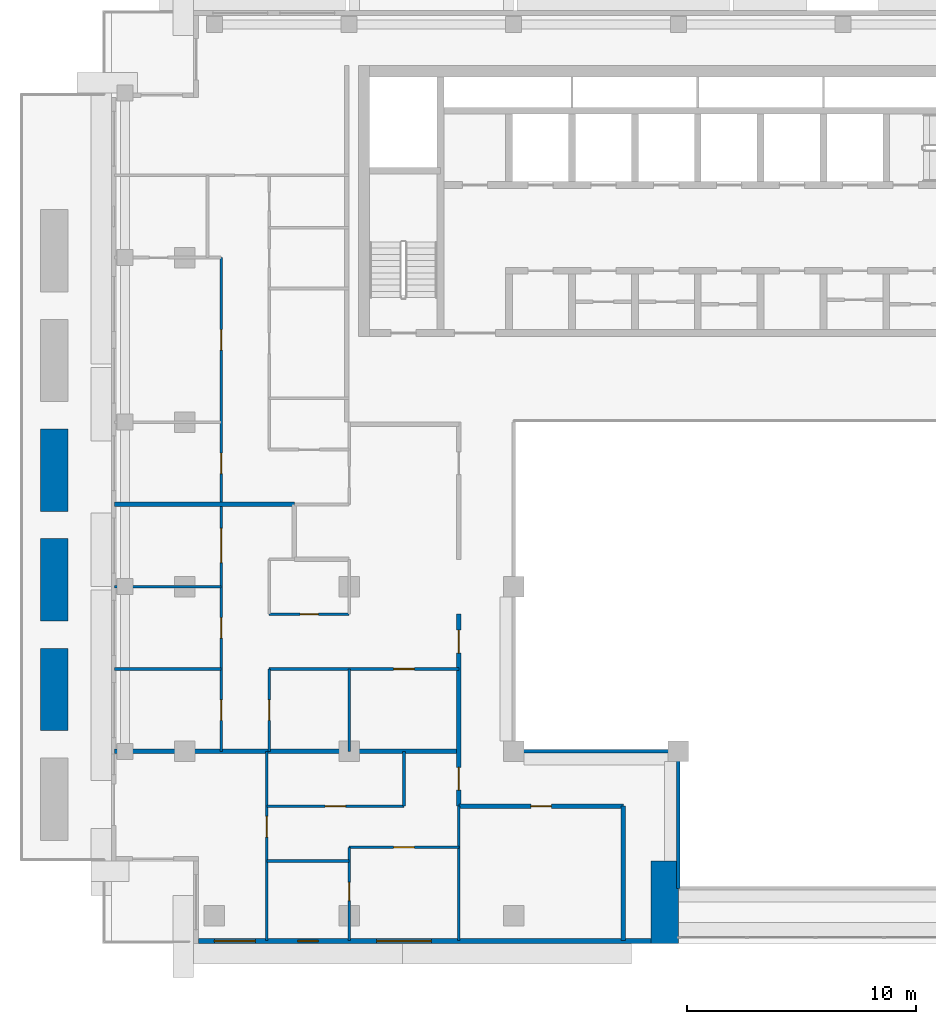
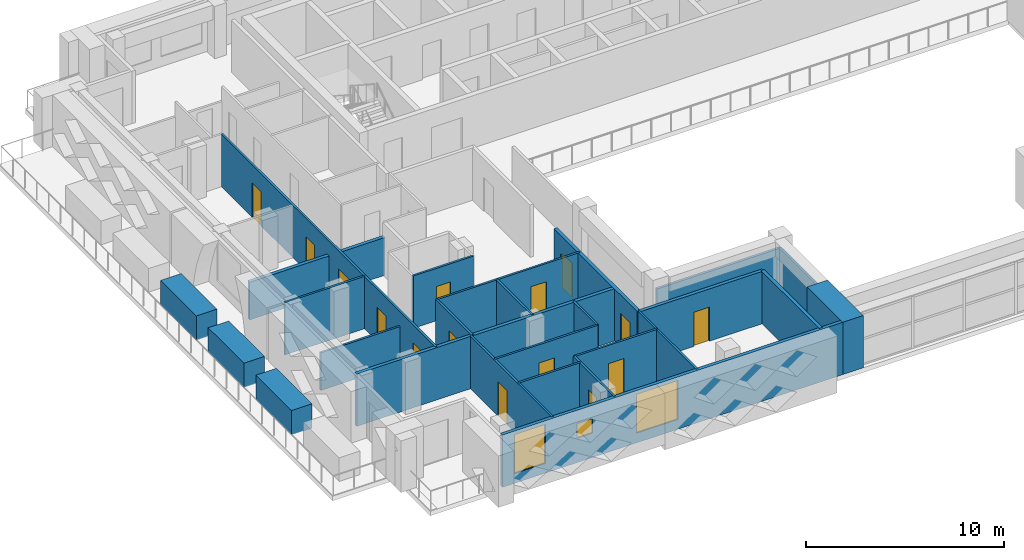
# One storey, part 6 of 19: 26 walls, 15 doors, 3 windows, 18 openings.
"""IFC4 building model written with IfcOpenShell, lengths in metres."""

from ifc_helpers import new_model, si_unit, direction, frame, frame_2d, origin, place, context, subcontext, project, spatial, rectangle, extrude, material, layer, layer_set, type_object, element, fill, save


model = new_model("IFC4")

# Units and contexts
model_context = context("Model", 3, precision=1e-05, world=origin(), true_north=direction((0.0, 1.0)))
body_context = subcontext(model_context, "Body", "Model", "MODEL_VIEW")
ifc_project = project(units=[si_unit("LENGTHUNIT", "METRE"), si_unit("AREAUNIT", "SQUARE_METRE"), si_unit("VOLUMEUNIT", "CUBIC_METRE"), si_unit("PLANEANGLEUNIT", "RADIAN"), si_unit("MASSUNIT", "GRAM", prefix="KILO")], contexts=[model_context])

# Site, building, storey
site_placement = place(None, origin())
site = spatial("IfcSite", under=ifc_project, at=site_placement, CompositionType="ELEMENT")
building_placement = place(site_placement, origin())
building = spatial("IfcBuilding", under=site, at=building_placement, Name="Saffron Iwan Residences", CompositionType="ELEMENT")
storey_placement = place(building_placement, frame((0.0, 0.0, 211.5)))
storey = spatial("IfcBuildingStorey", under=building, at=storey_placement, Name="L56", CompositionType="ELEMENT", Elevation=211.5)

# Walls
ifc_material_1 = material(Name="Fire-rated glazing", Category="glass")
ifc_layer_1 = layer(ifc_material_1, 0.14990234375)
ifc_layer_set_1 = layer_set([ifc_layer_1], Name="Fire-rated glazing")
wall_type_1 = type_object("IfcWallType", Name="Atrium glazed screen 150", PredefinedType="SOLIDWALL", material=ifc_layer_set_1)
wall_1_placement = place(storey_placement, frame((36.0, 48.0, 0.0), z_axis=(0.0, 0.0, 1.0), x_axis=(1.0, 0.0, 0.0)))
element("IfcWall", 1, at=wall_1_placement, inside=storey, type_object=wall_type_1, Name="W-L56-SCREEN-h48-36", PredefinedType="SOLIDWALL", context=body_context, shape_type="SweptSolid", body=[
    extrude(rectangle(XDim=7.199951171875, YDim=0.14990234375, at=frame_2d((3.60009765625, 0.0))), origin(), (0.0, 0.0, 1.0), 2.320068359375),
])
wall_2_placement = place(storey_placement, frame((43.199951171875, 42.0, 0.0), z_axis=(0.0, 0.0, 1.0), x_axis=(0.0, 1.0, 0.0)))
element("IfcWall", 2, at=wall_2_placement, inside=storey, type_object=wall_type_1, Name="W-L56-SCREEN-v43.2-42", PredefinedType="SOLIDWALL", context=body_context, shape_type="SweptSolid", body=[
    extrude(rectangle(XDim=6.0, YDim=0.14990234375, at=frame_2d((3.0, 0.0))), origin(), (0.0, 0.0, 1.0), 2.320068359375),
])

# Wall, openings, windows
ifc_material_2 = material(Name="Concrete C40/50", Category="concrete")
ifc_layer_2 = layer(ifc_material_2, 0.199951171875)
ifc_layer_set_2 = layer_set([ifc_layer_2], Name="Concrete C40/50")
wall_type_2 = type_object("IfcWallType", Name="EXTERNAL WALL 200", PredefinedType="SOLIDWALL", material=ifc_layer_set_2)
wall_3_placement = place(storey_placement, frame((22.199951171875, 39.699951171875, 0.0), z_axis=(0.0, 0.0, 1.0), x_axis=(1.0, 0.0, 0.0)))
wall_3 = element("IfcWall", 3, at=wall_3_placement, inside=storey, type_object=wall_type_2, Name="External wall L56 F11.0", PredefinedType="SOLIDWALL", context=body_context, shape_type="SweptSolid", body=[
    extrude(rectangle(XDim=19.800048828125, YDim=0.199951171875, at=frame_2d((9.89990234375, 0.0))), origin(), (0.0, 0.0, 1.0), 3.219970703125),
])
opening_1_placement = place(wall_3_placement, frame((0.699951171875, 0.0, 0.60009765625)))
opening_1 = element("IfcOpeningElement", 4, at=opening_1_placement, cuts=wall_3, Name="Opening W8", PredefinedType="OPENING", context=body_context, shape_type="SweptSolid", body=[
    extrude(rectangle(XDim=1.800048828125, YDim=2.39990234375, at=frame_2d((0.89990234375, 1.199951171875))), frame((0.0, 0.10986328125, 0.0), z_axis=(0.0, -1.0, 0.0), x_axis=(1.0, 0.0, 0.0)), (0.0, 0.0, 1.0), 0.219970703125),
])
opening_2_placement = place(wall_3_placement, frame((7.800048828125, 0.0, 0.60009765625)))
opening_2 = element("IfcOpeningElement", 5, at=opening_2_placement, cuts=wall_3, Name="Opening W1", PredefinedType="OPENING", context=body_context, shape_type="SweptSolid", body=[
    extrude(rectangle(XDim=2.39990234375, YDim=2.39990234375, at=frame_2d((1.199951171875, 1.199951171875))), frame((0.0, 0.10986328125, 0.0), z_axis=(0.0, -1.0, 0.0), x_axis=(1.0, 0.0, 0.0)), (0.0, 0.0, 1.0), 0.219970703125),
])
opening_3_placement = place(wall_3_placement, frame((4.35009765625, 0.0, 1.5)))
opening_3 = element("IfcOpeningElement", 6, at=opening_3_placement, cuts=wall_3, Name="Opening W6", PredefinedType="OPENING", context=body_context, shape_type="SweptSolid", body=[
    extrude(rectangle(XDim=0.89990234375, YDim=0.89990234375, at=frame_2d((0.449951171875, 0.449951171875))), frame((0.0, 0.10986328125, 0.0), z_axis=(0.0, -1.0, 0.0), x_axis=(1.0, 0.0, 0.0)), (0.0, 0.0, 1.0), 0.219970703125),
])
ifc_material_3 = material(Name="Clear glass, laminated double glazed", Category="glass")
window_type_1 = type_object("IfcWindowType", Name="WINDOW 1800 x 2400", PartitioningType="DOUBLE_PANEL_VERTICAL", PredefinedType="WINDOW", material=ifc_material_3)
window_1_placement = place(opening_1_placement, origin())
window_1 = element("IfcWindow", 7, at=window_1_placement, inside=storey, type_object=window_type_1, Name="Window L56 F11.0", OverallHeight=2.39990234375, OverallWidth=1.800048828125, PartitioningType="DOUBLE_PANEL_VERTICAL", PredefinedType="WINDOW", context=body_context, shape_type="SweptSolid", body=[
    extrude(rectangle(XDim=1.800048828125, YDim=2.39990234375, at=frame_2d((0.89990234375, 1.199951171875))), frame((0.0, 0.030029296875, 0.0), z_axis=(0.0, -1.0, 0.0), x_axis=(1.0, 0.0, 0.0)), (0.0, 0.0, 1.0), 0.06005859375),
])
fill(opening_1, window_1)
window_type_2 = type_object("IfcWindowType", Name="WINDOW 2400 x 2400", PartitioningType="DOUBLE_PANEL_VERTICAL", PredefinedType="WINDOW", material=ifc_material_3)
window_2_placement = place(opening_2_placement, origin())
window_2 = element("IfcWindow", 8, at=window_2_placement, inside=storey, type_object=window_type_2, Name="Window L56 F11.1", OverallHeight=2.39990234375, OverallWidth=2.39990234375, PartitioningType="DOUBLE_PANEL_VERTICAL", PredefinedType="WINDOW", context=body_context, shape_type="SweptSolid", body=[
    extrude(rectangle(XDim=2.39990234375, YDim=2.39990234375, at=frame_2d((1.199951171875, 1.199951171875))), frame((0.0, 0.030029296875, 0.0), z_axis=(0.0, -1.0, 0.0), x_axis=(1.0, 0.0, 0.0)), (0.0, 0.0, 1.0), 0.06005859375),
])
fill(opening_2, window_2)
window_type_3 = type_object("IfcWindowType", Name="WINDOW 900 x 900 BATH", PartitioningType="SINGLE_PANEL", PredefinedType="WINDOW", material=ifc_material_3)
window_3_placement = place(opening_3_placement, origin())
window_3 = element("IfcWindow", 9, at=window_3_placement, inside=storey, type_object=window_type_3, Name="Window L56 F11.2", OverallHeight=0.89990234375, OverallWidth=0.89990234375, PartitioningType="SINGLE_PANEL", PredefinedType="WINDOW", context=body_context, shape_type="SweptSolid", body=[
    extrude(rectangle(XDim=0.89990234375, YDim=0.89990234375, at=frame_2d((0.449951171875, 0.449951171875))), frame((0.0, 0.030029296875, 0.0), z_axis=(0.0, -1.0, 0.0), x_axis=(1.0, 0.0, 0.0)), (0.0, 0.0, 1.0), 0.06005859375),
])
fill(opening_3, window_3)

# Walls
ifc_material_4 = material(Name="Fire-rated gypsum board wall")
ifc_layer_3 = layer(ifc_material_4, 0.199951171875)
ifc_layer_set_3 = layer_set([ifc_layer_3], Name="Fire-rated gypsum board wall")
wall_type_3 = type_object("IfcWallType", Name="Flat demising wall 200", PredefinedType="SOLIDWALL", material=ifc_layer_set_3)
wall_4_placement = place(storey_placement, frame((18.52490234375, 48.0, 0.0), z_axis=(0.0, 0.0, 1.0), x_axis=(1.0, 0.0, 0.0)))
element("IfcWall", 10, at=wall_4_placement, inside=storey, type_object=wall_type_3, Name="W-L56-DEMISE-h48-18.525", PredefinedType="SOLIDWALL", context=body_context, shape_type="SweptSolid", body=[
    extrude(rectangle(XDim=15.0751953125, YDim=0.199951171875, at=frame_2d((7.53759765625, 0.0))), origin(), (0.0, 0.0, 1.0), 3.219970703125),
])
wall_5_placement = place(storey_placement, frame((18.52490234375, 58.800048828125, 0.0), z_axis=(0.0, 0.0, 1.0), x_axis=(1.0, 0.0, 0.0)))
element("IfcWall", 11, at=wall_5_placement, inside=storey, type_object=wall_type_3, Name="W-L56-DEMISE-h58.8-18.525", PredefinedType="SOLIDWALL", context=body_context, shape_type="SweptSolid", body=[
    extrude(rectangle(XDim=7.875, YDim=0.199951171875, at=frame_2d((3.9375, 0.0))), origin(), (0.0, 0.0, 1.0), 2.320068359375),
])
ifc_material_5 = material(Name="Gypsum board partition")
ifc_layer_4 = layer(ifc_material_5, 0.1201171875)
ifc_layer_set_4 = layer_set([ifc_layer_4], Name="Gypsum board partition")
wall_type_4 = type_object("IfcWallType", Name="Flat partition 120", PredefinedType="PARTITIONING", material=ifc_layer_set_4)
wall_6_placement = place(storey_placement, frame((25.199951171875, 43.199951171875, 0.0), z_axis=(0.0, 0.0, 1.0), x_axis=(1.0, 0.0, 0.0)))
element("IfcWall", 12, at=wall_6_placement, inside=storey, type_object=wall_type_4, Name="W-L56-PART-h43.2-25.2", PredefinedType="PARTITIONING", context=body_context, shape_type="SweptSolid", body=[
    extrude(rectangle(XDim=3.60009765625, YDim=0.1201171875, at=frame_2d((1.800048828125, 0.0))), origin(), (0.0, 0.0, 1.0), 3.219970703125),
])

# Wall, opening, door
wall_7_placement = place(storey_placement, frame((28.800048828125, 43.800048828125, 0.0), z_axis=(0.0, 0.0, 1.0), x_axis=(1.0, 0.0, 0.0)))
wall_7 = element("IfcWall", 13, at=wall_7_placement, inside=storey, type_object=wall_type_4, Name="W-L56-PART-h43.8-28.8", PredefinedType="PARTITIONING", context=body_context, shape_type="SweptSolid", body=[
    extrude(rectangle(XDim=4.800048828125, YDim=0.1201171875, at=frame_2d((2.39990234375, 0.0))), origin(), (0.0, 0.0, 1.0), 3.219970703125),
])
opening_4_placement = place(wall_7_placement, frame((1.949951171875, 0.0, 0.0)))
opening_4 = element("IfcOpeningElement", 14, at=opening_4_placement, cuts=wall_7, Name="Opening FD2", PredefinedType="OPENING", context=body_context, shape_type="SweptSolid", body=[
    extrude(rectangle(XDim=0.89990234375, YDim=2.10009765625, at=frame_2d((0.449951171875, 1.050048828125))), frame((0.0, 0.070068359375, 0.0), z_axis=(0.0, -1.0, 0.0), x_axis=(1.0, 0.0, 0.0)), (0.0, 0.0, 1.0), 0.14013671875),
])
ifc_material_6 = material(Name="Timber door", Category="wood")
door_type_1 = type_object("IfcDoorType", Name="Flat door 900", OperationType="NOTDEFINED", PredefinedType="DOOR", material=ifc_material_6)
door_1_placement = place(opening_4_placement, origin())
door_1 = element("IfcDoor", 15, at=door_1_placement, inside=storey, type_object=door_type_1, Name="Door L56-003", OperationType="SINGLE_SWING_LEFT", OverallHeight=2.10009765625, OverallWidth=0.89990234375, PredefinedType="DOOR", context=body_context, shape_type="SweptSolid", body=[
    extrude(rectangle(XDim=0.89990234375, YDim=2.10009765625, at=frame_2d((0.449951171875, 1.050048828125))), frame((0.0, 0.02490234375, 0.0), z_axis=(0.0, -1.0, 0.0), x_axis=(1.0, 0.0, 0.0)), (0.0, 0.0, 1.0), 0.050048828125),
])
fill(opening_4, door_1)

wall_8_placement = place(storey_placement, frame((25.199951171875, 45.60009765625, 0.0), z_axis=(0.0, 0.0, 1.0), x_axis=(1.0, 0.0, 0.0)))
wall_8 = element("IfcWall", 16, at=wall_8_placement, inside=storey, type_object=wall_type_4, Name="W-L56-PART-h45.6-25.2", PredefinedType="PARTITIONING", context=body_context, shape_type="SweptSolid", body=[
    extrude(rectangle(XDim=6.0, YDim=0.1201171875, at=frame_2d((3.0, 0.0))), origin(), (0.0, 0.0, 1.0), 3.219970703125),
])
opening_5_placement = place(wall_8_placement, frame((2.550048828125, 0.0, 0.0)))
opening_5 = element("IfcOpeningElement", 17, at=opening_5_placement, cuts=wall_8, Name="Opening FD2", PredefinedType="OPENING", context=body_context, shape_type="SweptSolid", body=[
    extrude(rectangle(XDim=0.89990234375, YDim=2.10009765625, at=frame_2d((0.449951171875, 1.050048828125))), frame((0.0, 0.070068359375, 0.0), z_axis=(0.0, -1.0, 0.0), x_axis=(1.0, 0.0, 0.0)), (0.0, 0.0, 1.0), 0.14013671875),
])
door_2_placement = place(opening_5_placement, origin())
door_2 = element("IfcDoor", 18, at=door_2_placement, inside=storey, type_object=door_type_1, Name="Door L56-005", OperationType="SINGLE_SWING_RIGHT", OverallHeight=2.10009765625, OverallWidth=0.89990234375, PredefinedType="DOOR", context=body_context, shape_type="SweptSolid", body=[
    extrude(rectangle(XDim=0.89990234375, YDim=2.10009765625, at=frame_2d((0.449951171875, 1.050048828125))), frame((0.0, 0.02490234375, 0.0), z_axis=(0.0, -1.0, 0.0), x_axis=(1.0, 0.0, 0.0)), (0.0, 0.0, 1.0), 0.050048828125),
])
fill(opening_5, door_2)

# Wall
wall_9_placement = place(storey_placement, frame((18.52490234375, 51.60009765625, 0.0), z_axis=(0.0, 0.0, 1.0), x_axis=(1.0, 0.0, 0.0)))
element("IfcWall", 19, at=wall_9_placement, inside=storey, type_object=wall_type_4, Name="W-L56-PART-h51.6-18.525", PredefinedType="PARTITIONING", context=body_context, shape_type="SweptSolid", body=[
    extrude(rectangle(XDim=4.675048828125, YDim=0.1201171875, at=frame_2d((2.33740234375, 0.0))), origin(), (0.0, 0.0, 1.0), 2.320068359375),
])

# Wall, opening, door
wall_10_placement = place(storey_placement, frame((25.300048828125, 51.60009765625, 0.0), z_axis=(0.0, 0.0, 1.0), x_axis=(1.0, 0.0, 0.0)))
wall_10 = element("IfcWall", 20, at=wall_10_placement, inside=storey, type_object=wall_type_4, Name="W-L56-PART-h51.6-25.3", PredefinedType="PARTITIONING", context=body_context, shape_type="SweptSolid", body=[
    extrude(rectangle(XDim=8.300048828125, YDim=0.1201171875, at=frame_2d((4.14990234375, 0.0))), origin(), (0.0, 0.0, 1.0), 3.219970703125),
])
opening_6_placement = place(wall_10_placement, frame((5.449951171875, 0.0, 0.0)))
opening_6 = element("IfcOpeningElement", 21, at=opening_6_placement, cuts=wall_10, Name="Opening FD2", PredefinedType="OPENING", context=body_context, shape_type="SweptSolid", body=[
    extrude(rectangle(XDim=0.89990234375, YDim=2.10009765625, at=frame_2d((0.449951171875, 1.050048828125))), frame((0.0, 0.070068359375, 0.0), z_axis=(0.0, -1.0, 0.0), x_axis=(1.0, 0.0, 0.0)), (0.0, 0.0, 1.0), 0.14013671875),
])
door_3_placement = place(opening_6_placement, origin())
door_3 = element("IfcDoor", 22, at=door_3_placement, inside=storey, type_object=door_type_1, Name="Door L56-013", OperationType="SINGLE_SWING_LEFT", OverallHeight=2.10009765625, OverallWidth=0.89990234375, PredefinedType="DOOR", context=body_context, shape_type="SweptSolid", body=[
    extrude(rectangle(XDim=0.89990234375, YDim=2.10009765625, at=frame_2d((0.449951171875, 1.050048828125))), frame((0.0, 0.02490234375, 0.0), z_axis=(0.0, -1.0, 0.0), x_axis=(1.0, 0.0, 0.0)), (0.0, 0.0, 1.0), 0.050048828125),
])
fill(opening_6, door_3)

wall_11_placement = place(storey_placement, frame((25.300048828125, 54.0, 0.0), z_axis=(0.0, 0.0, 1.0), x_axis=(1.0, 0.0, 0.0)))
wall_11 = element("IfcWall", 23, at=wall_11_placement, inside=storey, type_object=wall_type_4, Name="W-L56-PART-h54-25.3", PredefinedType="PARTITIONING", context=body_context, shape_type="SweptSolid", body=[
    extrude(rectangle(XDim=3.5, YDim=0.1201171875, at=frame_2d((1.75, 0.0))), origin(), (0.0, 0.0, 1.0), 3.219970703125),
])
opening_7_placement = place(wall_11_placement, frame((1.35009765625, 0.0, 0.0)))
opening_7 = element("IfcOpeningElement", 24, at=opening_7_placement, cuts=wall_11, Name="Opening FD3", PredefinedType="OPENING", context=body_context, shape_type="SweptSolid", body=[
    extrude(rectangle(XDim=0.800048828125, YDim=2.10009765625, at=frame_2d((0.39990234375, 1.050048828125))), frame((0.0, 0.070068359375, 0.0), z_axis=(0.0, -1.0, 0.0), x_axis=(1.0, 0.0, 0.0)), (0.0, 0.0, 1.0), 0.14013671875),
])
door_type_2 = type_object("IfcDoorType", Name="Bathroom door 800", OperationType="NOTDEFINED", PredefinedType="DOOR", material=ifc_material_6)
door_4_placement = place(opening_7_placement, origin())
door_4 = element("IfcDoor", 25, at=door_4_placement, inside=storey, type_object=door_type_2, Name="Door L56-012", OperationType="SINGLE_SWING_LEFT", OverallHeight=2.10009765625, OverallWidth=0.800048828125, PredefinedType="DOOR", context=body_context, shape_type="SweptSolid", body=[
    extrude(rectangle(XDim=0.800048828125, YDim=2.10009765625, at=frame_2d((0.39990234375, 1.050048828125))), frame((0.0, 0.02490234375, 0.0), z_axis=(0.0, -1.0, 0.0), x_axis=(1.0, 0.0, 0.0)), (0.0, 0.0, 1.0), 0.050048828125),
])
fill(opening_7, door_4)

# Wall
wall_12_placement = place(storey_placement, frame((18.52490234375, 55.199951171875, 0.0), z_axis=(0.0, 0.0, 1.0), x_axis=(1.0, 0.0, 0.0)))
element("IfcWall", 26, at=wall_12_placement, inside=storey, type_object=wall_type_4, Name="W-L56-PART-h55.2-18.525", PredefinedType="PARTITIONING", context=body_context, shape_type="SweptSolid", body=[
    extrude(rectangle(XDim=4.675048828125, YDim=0.1201171875, at=frame_2d((2.33740234375, 0.0))), origin(), (0.0, 0.0, 1.0), 3.219970703125),
])

# Wall, openings, doors
wall_13_placement = place(storey_placement, frame((23.199951171875, 48.0, 0.0), z_axis=(0.0, 0.0, 1.0), x_axis=(0.0, 1.0, 0.0)))
wall_13 = element("IfcWall", 27, at=wall_13_placement, inside=storey, type_object=wall_type_4, Name="W-L56-PART-v23.2-48", PredefinedType="PARTITIONING", context=body_context, shape_type="SweptSolid", body=[
    extrude(rectangle(XDim=21.60009765625, YDim=0.1201171875, at=frame_2d((10.800048828125, 0.0))), origin(), (0.0, 0.0, 1.0), 3.219970703125),
])
opening_8_placement = place(wall_13_placement, frame((1.35009765625, 0.0, 0.0)))
opening_8 = element("IfcOpeningElement", 28, at=opening_8_placement, cuts=wall_13, Name="Opening FD2", PredefinedType="OPENING", context=body_context, shape_type="SweptSolid", body=[
    extrude(rectangle(XDim=0.89990234375, YDim=2.10009765625, at=frame_2d((0.449951171875, 1.050048828125))), frame((0.0, 0.070068359375, 0.0), z_axis=(0.0, -1.0, 0.0), x_axis=(1.0, 0.0, 0.0)), (0.0, 0.0, 1.0), 0.14013671875),
])
opening_9_placement = place(wall_13_placement, frame((4.949951171875, 0.0, 0.0)))
opening_9 = element("IfcOpeningElement", 29, at=opening_9_placement, cuts=wall_13, Name="Opening FD2", PredefinedType="OPENING", context=body_context, shape_type="SweptSolid", body=[
    extrude(rectangle(XDim=0.89990234375, YDim=2.10009765625, at=frame_2d((0.449951171875, 1.050048828125))), frame((0.0, 0.070068359375, 0.0), z_axis=(0.0, -1.0, 0.0), x_axis=(1.0, 0.0, 0.0)), (0.0, 0.0, 1.0), 0.14013671875),
])
opening_10_placement = place(wall_13_placement, frame((8.25, 0.0, 0.0)))
opening_10 = element("IfcOpeningElement", 30, at=opening_10_placement, cuts=wall_13, Name="Opening FD4", PredefinedType="OPENING", context=body_context, shape_type="SweptSolid", body=[
    extrude(rectangle(XDim=1.5, YDim=2.10009765625, at=frame_2d((0.75, 1.050048828125))), frame((0.0, 0.070068359375, 0.0), z_axis=(0.0, -1.0, 0.0), x_axis=(1.0, 0.0, 0.0)), (0.0, 0.0, 1.0), 0.14013671875),
])
opening_11_placement = place(wall_13_placement, frame((12.14990234375, 0.0, 0.0)))
opening_11 = element("IfcOpeningElement", 31, at=opening_11_placement, cuts=wall_13, Name="Opening FD2", PredefinedType="OPENING", context=body_context, shape_type="SweptSolid", body=[
    extrude(rectangle(XDim=0.89990234375, YDim=2.10009765625, at=frame_2d((0.449951171875, 1.050048828125))), frame((0.0, 0.070068359375, 0.0), z_axis=(0.0, -1.0, 0.0), x_axis=(1.0, 0.0, 0.0)), (0.0, 0.0, 1.0), 0.14013671875),
])
opening_12_placement = place(wall_13_placement, frame((17.550048828125, 0.0, 0.0)))
opening_12 = element("IfcOpeningElement", 32, at=opening_12_placement, cuts=wall_13, Name="Opening FD2", PredefinedType="OPENING", context=body_context, shape_type="SweptSolid", body=[
    extrude(rectangle(XDim=0.89990234375, YDim=2.10009765625, at=frame_2d((0.449951171875, 1.050048828125))), frame((0.0, 0.070068359375, 0.0), z_axis=(0.0, -1.0, 0.0), x_axis=(1.0, 0.0, 0.0)), (0.0, 0.0, 1.0), 0.14013671875),
])
door_type_3 = type_object("IfcDoorType", Name="Double door 1500", OperationType="NOTDEFINED", PredefinedType="DOOR", material=ifc_material_6)
door_5_placement = place(opening_10_placement, origin())
door_5 = element("IfcDoor", 33, at=door_5_placement, inside=storey, type_object=door_type_3, Name="Door L56-010", OperationType="SINGLE_SWING_LEFT", OverallHeight=2.10009765625, OverallWidth=1.5, PredefinedType="DOOR", context=body_context, shape_type="SweptSolid", body=[
    extrude(rectangle(XDim=1.5, YDim=2.10009765625, at=frame_2d((0.75, 1.050048828125))), frame((0.0, 0.02490234375, 0.0), z_axis=(0.0, -1.0, 0.0), x_axis=(1.0, 0.0, 0.0)), (0.0, 0.0, 1.0), 0.050048828125),
])
fill(opening_10, door_5)
door_6_placement = place(opening_8_placement, origin())
door_6 = element("IfcDoor", 34, at=door_6_placement, inside=storey, type_object=door_type_1, Name="Door L56-008", OperationType="SINGLE_SWING_RIGHT", OverallHeight=2.10009765625, OverallWidth=0.89990234375, PredefinedType="DOOR", context=body_context, shape_type="SweptSolid", body=[
    extrude(rectangle(XDim=0.89990234375, YDim=2.10009765625, at=frame_2d((0.449951171875, 1.050048828125))), frame((0.0, 0.02490234375, 0.0), z_axis=(0.0, -1.0, 0.0), x_axis=(1.0, 0.0, 0.0)), (0.0, 0.0, 1.0), 0.050048828125),
])
fill(opening_8, door_6)
door_7_placement = place(opening_9_placement, origin())
door_7 = element("IfcDoor", 35, at=door_7_placement, inside=storey, type_object=door_type_1, Name="Door L56-009", OperationType="SINGLE_SWING_LEFT", OverallHeight=2.10009765625, OverallWidth=0.89990234375, PredefinedType="DOOR", context=body_context, shape_type="SweptSolid", body=[
    extrude(rectangle(XDim=0.89990234375, YDim=2.10009765625, at=frame_2d((0.449951171875, 1.050048828125))), frame((0.0, 0.02490234375, 0.0), z_axis=(0.0, -1.0, 0.0), x_axis=(1.0, 0.0, 0.0)), (0.0, 0.0, 1.0), 0.050048828125),
])
fill(opening_9, door_7)
door_8_placement = place(opening_11_placement, origin())
door_8 = element("IfcDoor", 36, at=door_8_placement, inside=storey, type_object=door_type_1, Name="Door L56-022", OperationType="SINGLE_SWING_LEFT", OverallHeight=2.10009765625, OverallWidth=0.89990234375, PredefinedType="DOOR", context=body_context, shape_type="SweptSolid", body=[
    extrude(rectangle(XDim=0.89990234375, YDim=2.10009765625, at=frame_2d((0.449951171875, 1.050048828125))), frame((0.0, 0.02490234375, 0.0), z_axis=(0.0, -1.0, 0.0), x_axis=(1.0, 0.0, 0.0)), (0.0, 0.0, 1.0), 0.050048828125),
])
fill(opening_11, door_8)
door_9_placement = place(opening_12_placement, origin())
door_9 = element("IfcDoor", 37, at=door_9_placement, inside=storey, type_object=door_type_1, Name="Door L56-023", OperationType="SINGLE_SWING_RIGHT", OverallHeight=2.10009765625, OverallWidth=0.89990234375, PredefinedType="DOOR", context=body_context, shape_type="SweptSolid", body=[
    extrude(rectangle(XDim=0.89990234375, YDim=2.10009765625, at=frame_2d((0.449951171875, 1.050048828125))), frame((0.0, 0.02490234375, 0.0), z_axis=(0.0, -1.0, 0.0), x_axis=(1.0, 0.0, 0.0)), (0.0, 0.0, 1.0), 0.050048828125),
])
fill(opening_12, door_9)

# Wall, opening, door
wall_14_placement = place(storey_placement, frame((25.199951171875, 39.72509765625, 0.0), z_axis=(0.0, 0.0, 1.0), x_axis=(0.0, 1.0, 0.0)))
wall_14 = element("IfcWall", 38, at=wall_14_placement, inside=storey, type_object=wall_type_4, Name="W-L56-PART-v25.2-39.725", PredefinedType="PARTITIONING", context=body_context, shape_type="SweptSolid", body=[
    extrude(rectangle(XDim=8.27490234375, YDim=0.1201171875, at=frame_2d((4.137451171875, 0.0))), origin(), (0.0, 0.0, 1.0), 3.219970703125),
])
opening_13_placement = place(wall_14_placement, frame((4.52490234375, 0.0, 0.0)))
opening_13 = element("IfcOpeningElement", 39, at=opening_13_placement, cuts=wall_14, Name="Opening FD2", PredefinedType="OPENING", context=body_context, shape_type="SweptSolid", body=[
    extrude(rectangle(XDim=0.89990234375, YDim=2.10009765625, at=frame_2d((0.449951171875, 1.050048828125))), frame((0.0, 0.070068359375, 0.0), z_axis=(0.0, -1.0, 0.0), x_axis=(1.0, 0.0, 0.0)), (0.0, 0.0, 1.0), 0.14013671875),
])
door_10_placement = place(opening_13_placement, origin())
door_10 = element("IfcDoor", 40, at=door_10_placement, inside=storey, type_object=door_type_1, Name="Door L56-002", OperationType="SINGLE_SWING_RIGHT", OverallHeight=2.10009765625, OverallWidth=0.89990234375, PredefinedType="DOOR", context=body_context, shape_type="SweptSolid", body=[
    extrude(rectangle(XDim=0.89990234375, YDim=2.10009765625, at=frame_2d((0.449951171875, 1.050048828125))), frame((0.0, 0.02490234375, 0.0), z_axis=(0.0, -1.0, 0.0), x_axis=(1.0, 0.0, 0.0)), (0.0, 0.0, 1.0), 0.050048828125),
])
fill(opening_13, door_10)

wall_15_placement = place(storey_placement, frame((25.300048828125, 48.0, 0.0), z_axis=(0.0, 0.0, 1.0), x_axis=(0.0, 1.0, 0.0)))
wall_15 = element("IfcWall", 41, at=wall_15_placement, inside=storey, type_object=wall_type_4, Name="W-L56-PART-v25.3-48", PredefinedType="PARTITIONING", context=body_context, shape_type="SweptSolid", body=[
    extrude(rectangle(XDim=3.60009765625, YDim=0.1201171875, at=frame_2d((1.800048828125, 0.0))), origin(), (0.0, 0.0, 1.0), 3.219970703125),
])
opening_14_placement = place(wall_15_placement, frame((1.35009765625, 0.0, 0.0)))
opening_14 = element("IfcOpeningElement", 42, at=opening_14_placement, cuts=wall_15, Name="Opening FD2", PredefinedType="OPENING", context=body_context, shape_type="SweptSolid", body=[
    extrude(rectangle(XDim=0.89990234375, YDim=2.10009765625, at=frame_2d((0.449951171875, 1.050048828125))), frame((0.0, 0.070068359375, 0.0), z_axis=(0.0, -1.0, 0.0), x_axis=(1.0, 0.0, 0.0)), (0.0, 0.0, 1.0), 0.14013671875),
])
door_11_placement = place(opening_14_placement, origin())
door_11 = element("IfcDoor", 43, at=door_11_placement, inside=storey, type_object=door_type_1, Name="Door L56-011", OperationType="SINGLE_SWING_RIGHT", OverallHeight=2.10009765625, OverallWidth=0.89990234375, PredefinedType="DOOR", context=body_context, shape_type="SweptSolid", body=[
    extrude(rectangle(XDim=0.89990234375, YDim=2.10009765625, at=frame_2d((0.449951171875, 1.050048828125))), frame((0.0, 0.02490234375, 0.0), z_axis=(0.0, -1.0, 0.0), x_axis=(1.0, 0.0, 0.0)), (0.0, 0.0, 1.0), 0.050048828125),
])
fill(opening_14, door_11)

wall_16_placement = place(storey_placement, frame((28.800048828125, 39.72509765625, 0.0), z_axis=(0.0, 0.0, 1.0), x_axis=(0.0, 1.0, 0.0)))
wall_16 = element("IfcWall", 44, at=wall_16_placement, inside=storey, type_object=wall_type_4, Name="W-L56-PART-v28.8-39.725", PredefinedType="PARTITIONING", context=body_context, shape_type="SweptSolid", body=[
    extrude(rectangle(XDim=4.074951171875, YDim=0.1201171875, at=frame_2d((2.03759765625, 0.0))), origin(), (0.0, 0.0, 1.0), 3.219970703125),
])
opening_15_placement = place(wall_16_placement, frame((1.737548828125, 0.0, 0.0)))
opening_15 = element("IfcOpeningElement", 45, at=opening_15_placement, cuts=wall_16, Name="Opening FD3", PredefinedType="OPENING", context=body_context, shape_type="SweptSolid", body=[
    extrude(rectangle(XDim=0.800048828125, YDim=2.10009765625, at=frame_2d((0.39990234375, 1.050048828125))), frame((0.0, 0.070068359375, 0.0), z_axis=(0.0, -1.0, 0.0), x_axis=(1.0, 0.0, 0.0)), (0.0, 0.0, 1.0), 0.14013671875),
])
door_12_placement = place(opening_15_placement, origin())
door_12 = element("IfcDoor", 46, at=door_12_placement, inside=storey, type_object=door_type_2, Name="Door L56-004", OperationType="SINGLE_SWING_RIGHT", OverallHeight=2.10009765625, OverallWidth=0.800048828125, PredefinedType="DOOR", context=body_context, shape_type="SweptSolid", body=[
    extrude(rectangle(XDim=0.800048828125, YDim=2.10009765625, at=frame_2d((0.39990234375, 1.050048828125))), frame((0.0, 0.02490234375, 0.0), z_axis=(0.0, -1.0, 0.0), x_axis=(1.0, 0.0, 0.0)), (0.0, 0.0, 1.0), 0.050048828125),
])
fill(opening_15, door_12)

# Walls
wall_17_placement = place(storey_placement, frame((28.800048828125, 48.0, 0.0), z_axis=(0.0, 0.0, 1.0), x_axis=(0.0, 1.0, 0.0)))
element("IfcWall", 47, at=wall_17_placement, inside=storey, type_object=wall_type_4, Name="W-L56-PART-v28.8-48", PredefinedType="PARTITIONING", context=body_context, shape_type="SweptSolid", body=[
    extrude(rectangle(XDim=3.60009765625, YDim=0.1201171875, at=frame_2d((1.800048828125, 0.0))), origin(), (0.0, 0.0, 1.0), 3.219970703125),
])
wall_18_placement = place(storey_placement, frame((31.199951171875, 45.60009765625, 0.0), z_axis=(0.0, 0.0, 1.0), x_axis=(0.0, 1.0, 0.0)))
element("IfcWall", 48, at=wall_18_placement, inside=storey, type_object=wall_type_4, Name="W-L56-PART-v31.2-45.6", PredefinedType="PARTITIONING", context=body_context, shape_type="SweptSolid", body=[
    extrude(rectangle(XDim=2.39990234375, YDim=0.1201171875, at=frame_2d((1.199951171875, 0.0))), origin(), (0.0, 0.0, 1.0), 3.219970703125),
])
wall_19_placement = place(storey_placement, frame((33.60009765625, 39.72509765625, 0.0), z_axis=(0.0, 0.0, 1.0), x_axis=(0.0, 1.0, 0.0)))
element("IfcWall", 49, at=wall_19_placement, inside=storey, type_object=wall_type_4, Name="W-L56-PART-v33.6-39.725", PredefinedType="PARTITIONING", context=body_context, shape_type="SweptSolid", body=[
    extrude(rectangle(XDim=5.875, YDim=0.1201171875, at=frame_2d((2.9375, 0.0))), origin(), (0.0, 0.0, 1.0), 3.219970703125),
])

# Wall, opening, door
ifc_layer_5 = layer(ifc_material_4, 0.199951171875)
ifc_layer_set_5 = layer_set([ifc_layer_5], Name="Fire-rated gypsum board wall")
wall_type_5 = type_object("IfcWallType", Name="Gallery wall 200", PredefinedType="SOLIDWALL", material=ifc_layer_set_5)
wall_20_placement = place(storey_placement, frame((33.60009765625, 45.60009765625, 0.0), z_axis=(0.0, 0.0, 1.0), x_axis=(1.0, 0.0, 0.0)))
wall_20 = element("IfcWall", 50, at=wall_20_placement, inside=storey, type_object=wall_type_5, Name="W-L56-CORR-h45.6-33.6", PredefinedType="SOLIDWALL", context=body_context, shape_type="SweptSolid", body=[
    extrude(rectangle(XDim=7.199951171875, YDim=0.199951171875, at=frame_2d((3.60009765625, 0.0))), origin(), (0.0, 0.0, 1.0), 3.219970703125),
])
opening_16_placement = place(wall_20_placement, frame((3.14990234375, 0.0, 0.0)))
opening_16 = element("IfcOpeningElement", 51, at=opening_16_placement, cuts=wall_20, Name="Opening FD2", PredefinedType="OPENING", context=body_context, shape_type="SweptSolid", body=[
    extrude(rectangle(XDim=0.89990234375, YDim=2.10009765625, at=frame_2d((0.449951171875, 1.050048828125))), frame((0.0, 0.10986328125, 0.0), z_axis=(0.0, -1.0, 0.0), x_axis=(1.0, 0.0, 0.0)), (0.0, 0.0, 1.0), 0.219970703125),
])
door_13_placement = place(opening_16_placement, origin())
door_13 = element("IfcDoor", 52, at=door_13_placement, inside=storey, type_object=door_type_1, Name="Door L56-006", OperationType="SINGLE_SWING_LEFT", OverallHeight=2.10009765625, OverallWidth=0.89990234375, PredefinedType="DOOR", context=body_context, shape_type="SweptSolid", body=[
    extrude(rectangle(XDim=0.89990234375, YDim=2.10009765625, at=frame_2d((0.449951171875, 1.050048828125))), frame((0.0, 0.02490234375, 0.0), z_axis=(0.0, -1.0, 0.0), x_axis=(1.0, 0.0, 0.0)), (0.0, 0.0, 1.0), 0.050048828125),
])
fill(opening_16, door_13)

# Wall, openings, doors
wall_21_placement = place(storey_placement, frame((33.60009765625, 45.60009765625, 0.0), z_axis=(0.0, 0.0, 1.0), x_axis=(0.0, 1.0, 0.0)))
wall_21 = element("IfcWall", 53, at=wall_21_placement, inside=storey, type_object=wall_type_5, Name="W-L56-CORR-v33.6-45.6", PredefinedType="SOLIDWALL", context=body_context, shape_type="SweptSolid", body=[
    extrude(rectangle(XDim=8.39990234375, YDim=0.199951171875, at=frame_2d((4.199951171875, 0.0))), origin(), (0.0, 0.0, 1.0), 3.219970703125),
])
opening_17_placement = place(wall_21_placement, frame((0.699951171875, 0.0, 0.0)))
opening_17 = element("IfcOpeningElement", 54, at=opening_17_placement, cuts=wall_21, Name="Opening FD1", PredefinedType="OPENING", context=body_context, shape_type="SweptSolid", body=[
    extrude(rectangle(XDim=1.0, YDim=2.10009765625, at=frame_2d((0.5, 1.050048828125))), frame((0.0, 0.10986328125, 0.0), z_axis=(0.0, -1.0, 0.0), x_axis=(1.0, 0.0, 0.0)), (0.0, 0.0, 1.0), 0.219970703125),
])
opening_18_placement = place(wall_21_placement, frame((6.699951171875, 0.0, 0.0)))
opening_18 = element("IfcOpeningElement", 55, at=opening_18_placement, cuts=wall_21, Name="Opening FD1", PredefinedType="OPENING", context=body_context, shape_type="SweptSolid", body=[
    extrude(rectangle(XDim=1.0, YDim=2.10009765625, at=frame_2d((0.5, 1.050048828125))), frame((0.0, 0.10986328125, 0.0), z_axis=(0.0, -1.0, 0.0), x_axis=(1.0, 0.0, 0.0)), (0.0, 0.0, 1.0), 0.219970703125),
])
ifc_material_7 = material(Name="Fire-rated timber door", Category="wood")
door_type_4 = type_object("IfcDoorType", Name="FD30S flat entrance door 1000", OperationType="NOTDEFINED", PredefinedType="DOOR", material=ifc_material_7)
door_14_placement = place(opening_17_placement, origin())
door_14 = element("IfcDoor", 56, at=door_14_placement, inside=storey, type_object=door_type_4, Name="Door L56-001", OperationType="SINGLE_SWING_LEFT", OverallHeight=2.10009765625, OverallWidth=1.0, PredefinedType="DOOR", context=body_context, shape_type="SweptSolid", body=[
    extrude(rectangle(XDim=1.0, YDim=2.10009765625, at=frame_2d((0.5, 1.050048828125))), frame((0.0, 0.02490234375, 0.0), z_axis=(0.0, -1.0, 0.0), x_axis=(1.0, 0.0, 0.0)), (0.0, 0.0, 1.0), 0.050048828125),
])
fill(opening_17, door_14)
door_15_placement = place(opening_18_placement, origin())
door_15 = element("IfcDoor", 57, at=door_15_placement, inside=storey, type_object=door_type_4, Name="Door L56-007", OperationType="SINGLE_SWING_LEFT", OverallHeight=2.10009765625, OverallWidth=1.0, PredefinedType="DOOR", context=body_context, shape_type="SweptSolid", body=[
    extrude(rectangle(XDim=1.0, YDim=2.10009765625, at=frame_2d((0.5, 1.050048828125))), frame((0.0, 0.02490234375, 0.0), z_axis=(0.0, -1.0, 0.0), x_axis=(1.0, 0.0, 0.0)), (0.0, 0.0, 1.0), 0.050048828125),
])
fill(opening_18, door_15)

# Walls
wall_22_placement = place(storey_placement, frame((40.800048828125, 39.72509765625, 0.0), z_axis=(0.0, 0.0, 1.0), x_axis=(0.0, 1.0, 0.0)))
element("IfcWall", 58, at=wall_22_placement, inside=storey, type_object=wall_type_5, Name="W-L56-CORR-v40.8-39.725", PredefinedType="SOLIDWALL", context=body_context, shape_type="SweptSolid", body=[
    extrude(rectangle(XDim=5.875, YDim=0.199951171875, at=frame_2d((2.9375, 0.0))), origin(), (0.0, 0.0, 1.0), 3.219970703125),
])
ifc_layer_6 = layer(ifc_material_2, 1.199951171875)
ifc_layer_set_6 = layer_set([ifc_layer_6], Name="Concrete C40/50")
wall_type_6 = type_object("IfcWallType", Name="SKY GARDEN PLANTER 1200", PredefinedType="STANDARD", material=ifc_layer_set_6)
for number, where, z_axis, x_axis, name in (
    (59, (15.89990234375, 48.89990234375, 0.0), (0.0, 0.0, 1.0), (0.0, 1.0, 0.0), "PLANTER terrace 15"),
    (60, (15.89990234375, 53.699951171875, 0.0), (0.0, 0.0, 1.0), (0.0, 1.0, 0.0), "PLANTER terrace 16"),
    (61, (15.89990234375, 58.5, 0.0), (0.0, 0.0, 1.0), (0.0, 1.0, 0.0), "PLANTER terrace 17"),
):
    element("IfcWall", number, at=place(storey_placement, frame(where, z_axis=z_axis, x_axis=x_axis)), inside=storey, type_object=wall_type_6, Name=name, PredefinedType="STANDARD", context=body_context, shape_type="SweptSolid", body=[
        extrude(rectangle(XDim=3.60009765625, YDim=1.199951171875, at=frame_2d((1.800048828125, 0.0))), origin(), (0.0, 0.0, 1.0), 1.5),
    ])
ifc_layer_7 = layer(ifc_material_2, 1.199951171875)
ifc_layer_set_7 = layer_set([ifc_layer_7], Name="Concrete C40/50")
wall_type_7 = type_object("IfcWallType", Name="WALL IWAN PIER 1200 C40/50 3220 HIGH", PredefinedType="SHEAR", material=ifc_layer_set_7)
wall_23_placement = place(storey_placement, frame((42.60009765625, 39.60009765625, 0.0), z_axis=(0.0, 0.0, 1.0), x_axis=(0.0, 1.0, 0.0)))
element("IfcWall", 62, at=wall_23_placement, inside=storey, type_object=wall_type_7, Name="IWAN PIER", PredefinedType="SHEAR", context=body_context, shape_type="SweptSolid", body=[
    extrude(rectangle(XDim=3.599853515625, YDim=1.199951171875, at=frame_2d((1.7998046875, 0.0))), origin(), (0.0, 0.0, 1.0), 3.219970703125),
])

save(model, "model.ifc")
